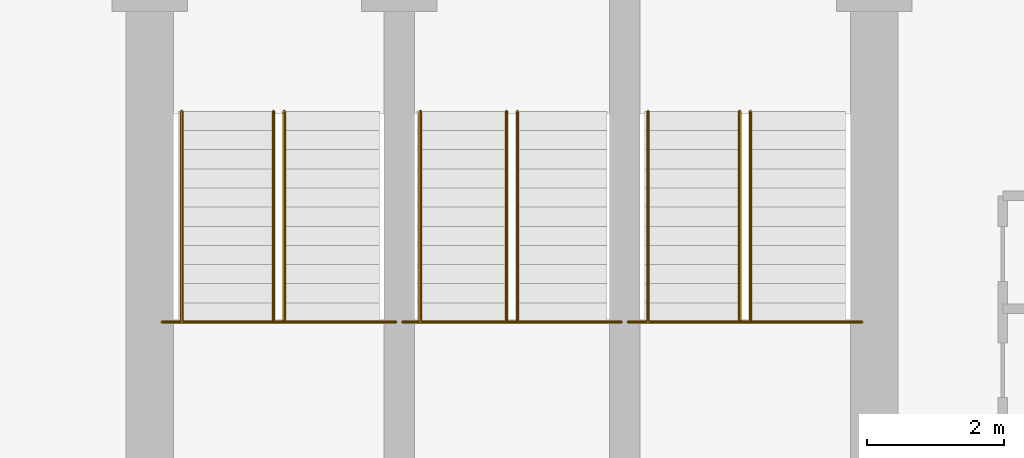
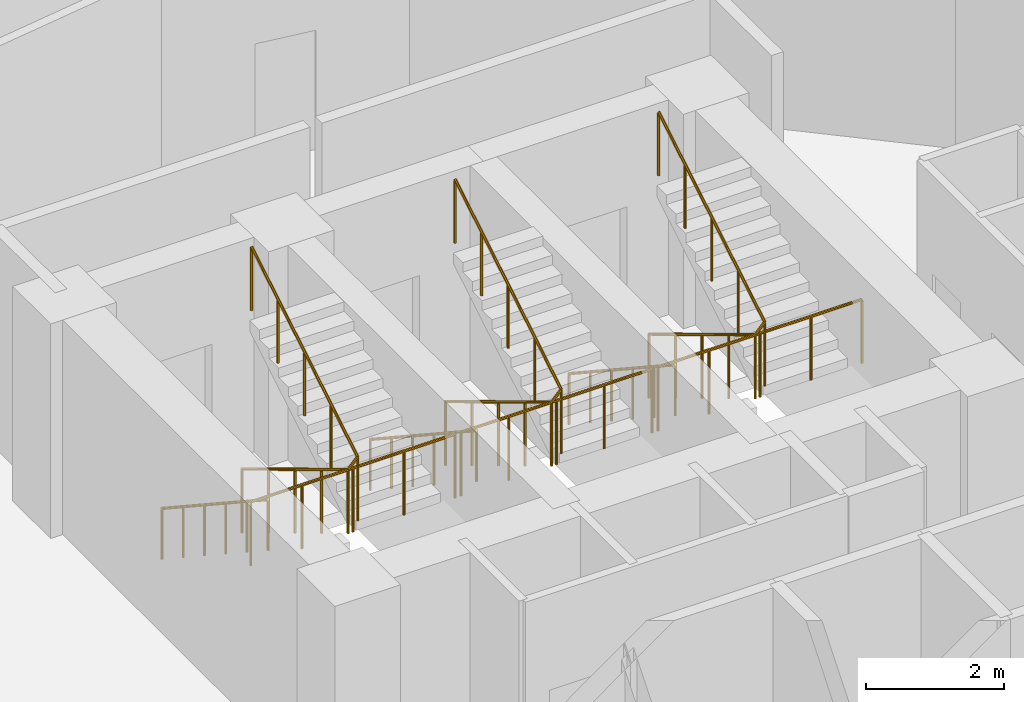
# One storey, part 26 of 26: 9 railings.
"""IFC4 building model written with IfcOpenShell, lengths in metres."""

import ifcopenshell
import ifcopenshell.guid

model = None  # the IFC model being written
_history = None  # IfcOwnerHistory: only IFC2X3 demands one
_inside = {}  # id of a spatial element -> (the spatial element, [elements in it])
_under = {}  # id of a project, library or spatial element -> (it, [spatial elements below it])
_declared = {}  # id of a project -> (the project, [libraries it declares])
_typed = {}  # id of a type object -> (the type object, [elements of that type])
_made_of = {}  # id of a material, layer set ... -> (it, [elements and type objects made of it])


def new_model(schema):
    """Start an empty IFC model of exactly this schema.

    Asked for "IFC4X3", IfcOpenShell would pick the latest addendum, in which some entities
    have other attributes; the version numbers below select the first issue.
    IFC2X3 requires an IfcOwnerHistory on every rooted entity: one is made here for all.
    """
    global model, _history
    if schema == "IFC4X3":
        model = ifcopenshell.file(schema_version=(4, 3, 0, 0))
    else:
        model = ifcopenshell.file(schema=schema)
    _inside.clear()
    _under.clear()
    _declared.clear()
    _typed.clear()
    _made_of.clear()
    _history = None
    if model.schema == "IFC2X3":
        org = make("IfcOrganization", Name="unknown")
        user = make(
            "IfcPersonAndOrganization",
            ThePerson=make("IfcPerson", FamilyName="unknown"),
            TheOrganization=org,
        )
        app = make(
            "IfcApplication",
            ApplicationDeveloper=org,
            Version="unknown",
            ApplicationFullName="unknown",
            ApplicationIdentifier="unknown",
        )
        _history = make(
            "IfcOwnerHistory",
            OwningUser=user,
            OwningApplication=app,
            ChangeAction="ADDED",
            CreationDate=0,
        )
    return model


def make(cls, **values):
    """One entity of the class cls with the attributes given. An attribute that is None is left unset."""
    return model.create_entity(
        cls, **{name: value for name, value in values.items() if value is not None}
    )


def rooted(cls, **values):
    """An entity with a GlobalId (a new one), such as an element, a storey or a relation."""
    return make(cls, GlobalId=ifcopenshell.guid.new(), OwnerHistory=_history, **values)


def si_unit(unit_type, name, prefix=None):
    """IfcSIUnit, for example si_unit("LENGTHUNIT", "METRE", prefix="MILLI")."""
    return make("IfcSIUnit", UnitType=unit_type, Prefix=prefix, Name=name)


def assignment(units):
    """IfcUnitAssignment: the units of a project."""
    return None if units is None else make("IfcUnitAssignment", Units=units)


def point(xyz):
    """IfcCartesianPoint."""
    return None if xyz is None else make("IfcCartesianPoint", Coordinates=xyz)


def direction(xyz):
    """IfcDirection."""
    return None if xyz is None else make("IfcDirection", DirectionRatios=xyz)


def frame(location, z_axis=None, x_axis=None):
    """IfcAxis2Placement3D, a coordinate frame: its origin and axes. An axis left out is left unset."""
    return make(
        "IfcAxis2Placement3D",
        Location=point(location),
        Axis=direction(z_axis),
        RefDirection=direction(x_axis),
    )


def origin():
    """The frame at (0, 0, 0) with its axes left unset."""
    return frame((0.0, 0.0, 0.0))


def place(relative_to, where):
    """IfcLocalPlacement: puts the frame where relative to a parent placement (None: the world)."""
    return make(
        "IfcLocalPlacement", PlacementRelTo=relative_to, RelativePlacement=where
    )


def context(
    kind, dimensions, precision=None, world=None, true_north=None, identifier=None
):
    """IfcGeometricRepresentationContext, for example the 3D "Model" context."""
    return make(
        "IfcGeometricRepresentationContext",
        ContextIdentifier=identifier,
        ContextType=kind,
        CoordinateSpaceDimension=dimensions,
        Precision=precision,
        WorldCoordinateSystem=world,
        TrueNorth=true_north,
    )


def subcontext(parent, identifier, kind, view, scale=None):
    """IfcGeometricRepresentationSubContext, for example "Body" below "Model"."""
    return make(
        "IfcGeometricRepresentationSubContext",
        ContextIdentifier=identifier,
        ContextType=kind,
        ParentContext=parent,
        TargetScale=scale,
        TargetView=view,
    )


def project(units=None, contexts=None):
    """IfcProject with its units and contexts."""
    return rooted(
        "IfcProject",
        Name="project",
        RepresentationContexts=contexts,
        UnitsInContext=assignment(units),
    )


def spatial(cls, under=None, at=None, **own):
    """A site, building, storey or space (cls), placed at a placement, below another one or the project."""
    s = rooted(cls, ObjectPlacement=at, **own)
    if under is not None:
        _under.setdefault(under.id(), (under, []))[1].append(s)
    return s


def polyline(points):
    """IfcPolyline through the points."""
    return make("IfcPolyline", Points=[point(p) for p in points])


def outline(outer, holes=None, kind="AREA"):
    """IfcArbitraryClosedProfileDef: a profile drawn as a closed curve; with holes, ...WithVoids."""
    if holes is None:
        return make("IfcArbitraryClosedProfileDef", ProfileType=kind, OuterCurve=outer)
    return make(
        "IfcArbitraryProfileDefWithVoids",
        ProfileType=kind,
        OuterCurve=outer,
        InnerCurves=holes,
    )


def extrude(swept, where, along, depth):
    """IfcExtrudedAreaSolid: the profile swept, set in the frame where, extruded along a direction by depth."""
    return make(
        "IfcExtrudedAreaSolid",
        SweptArea=swept,
        Position=where,
        ExtrudedDirection=direction(along),
        Depth=depth,
    )


def shape(context_of_items, identifier, shape_type, items):
    """IfcShapeRepresentation: the items that make up one representation, for example the "Body"."""
    return make(
        "IfcShapeRepresentation",
        ContextOfItems=context_of_items,
        RepresentationIdentifier=identifier,
        RepresentationType=shape_type,
        Items=items,
    )


def material(Name=None, Category=None):
    """IfcMaterial."""
    return make("IfcMaterial", Name=Name, Category=Category)


def made_of(thing, what):
    """Note that an element or type object is made of a material, layer set ...; save() writes the relation."""
    if what is not None:
        _made_of.setdefault(what.id(), (what, []))[1].append(thing)
    return thing


def type_object(cls, material=None, **own):
    """A type object (cls), such as IfcWallType, which elements share."""
    return made_of(rooted(cls, **own), material)


def element(
    cls,
    number,
    at=None,
    inside=None,
    cuts=None,
    type_object=None,
    material=None,
    context=None,
    identifier="Body",
    shape_type=None,
    held_by="IfcProductDefinitionShape",
    body=None,
    shapes=None,
    **own,
):
    """One element of the class cls, such as IfcWall. Its Tag is "e" and its number.

    at: its placement. inside: the storey or other place that contains it. cuts: it is an
    opening in that element (IfcRelVoidsElement). A single representation is given by context,
    identifier, shape_type and body (its items); several are given by shapes. held_by: the class
    of the entity that holds the representations. save() writes the other relations.
    """
    e = rooted(cls, Tag="e%d" % number, ObjectPlacement=at, **own)
    if body is not None:
        shapes = [shape(context, identifier, shape_type, body)]
    if shapes is not None:
        e.Representation = make(held_by, Representations=shapes)
    if inside is not None:
        _inside.setdefault(inside.id(), (inside, []))[1].append(e)
    if cuts is not None:
        rooted(
            "IfcRelVoidsElement", RelatingBuildingElement=cuts, RelatedOpeningElement=e
        )
    if type_object is not None:
        _typed.setdefault(type_object.id(), (type_object, []))[1].append(e)
    return made_of(e, material)


def aggregate(whole, parts):
    """IfcRelAggregates: a whole, such as a stair, and the parts it consists of."""
    return rooted("IfcRelAggregates", RelatingObject=whole, RelatedObjects=parts)


def save(model, path):
    """Write the relations noted so far, then the file.

    IfcRelAggregates (storeys below a building ...), IfcRelContainedInSpatialStructure (elements
    in a storey), IfcRelDefinesByType, IfcRelAssociatesMaterial and IfcRelDeclares: one each for
    every whole, place, type object, material and project.
    """
    for whole, parts in _under.values():
        aggregate(whole, parts)
    for where, things in _inside.values():
        rooted(
            "IfcRelContainedInSpatialStructure",
            RelatedElements=things,
            RelatingStructure=where,
        )
    for kind, things in _typed.values():
        rooted("IfcRelDefinesByType", RelatedObjects=things, RelatingType=kind)
    for what, things in _made_of.values():
        rooted("IfcRelAssociatesMaterial", RelatedObjects=things, RelatingMaterial=what)
    for by, libraries in _declared.values():
        rooted("IfcRelDeclares", RelatingContext=by, RelatedDefinitions=libraries)
    model.write(path)


model = new_model("IFC4")

# Units and contexts
model_context = context("Model", 3, precision=1e-05, world=origin(), true_north=direction((0.0, 1.0)))
body_context = subcontext(model_context, "Body", "Model", "MODEL_VIEW")
ifc_project = project(units=[si_unit("LENGTHUNIT", "METRE"), si_unit("AREAUNIT", "SQUARE_METRE"), si_unit("VOLUMEUNIT", "CUBIC_METRE"), si_unit("PLANEANGLEUNIT", "RADIAN"), si_unit("MASSUNIT", "GRAM", prefix="KILO")], contexts=[model_context])

# Site, building, storey
site_placement = place(None, origin())
site = spatial("IfcSite", under=ifc_project, at=site_placement, CompositionType="ELEMENT")
building_placement = place(site_placement, origin())
building = spatial("IfcBuilding", under=site, at=building_placement, Name="Nuhasar Tower", CompositionType="ELEMENT")
storey_placement = place(building_placement, frame((0.0, 0.0, 97.949951171875)))
storey = spatial("IfcBuildingStorey", under=building, at=storey_placement, Name="L23", CompositionType="ELEMENT", Elevation=97.949951171875)

# Railings
ifc_material_1 = material(Name="Steel S355", Category="steel")
railing_type_1 = type_object("IfcRailingType", Name="RLG-STAIR-GUARD-1150", PredefinedType="GUARDRAIL", material=ifc_material_1)
railing_1_placement = place(storey_placement, frame((33.8798828125, 32.205078125, 2.025146484375)))
element("IfcRailing", 1, at=railing_1_placement, inside=storey, type_object=railing_type_1, Name="L23 Stair ST-01 Guardrail LND", PredefinedType="GUARDRAIL", context=body_context, shape_type="SweptSolid", body=[
    extrude(outline(polyline([(0.024169921875, 0.0), (0.01708984375, 0.01708984375), (0.0, 0.024169921875), (-0.01708984375, 0.01708984375), (-0.024169921875, 0.0), (-0.01708984375, -0.01708984375), (0.0, -0.024169921875), (0.01708984375, -0.01708984375), (0.024169921875, 0.0)])), frame((0.0, 0.0, 1.1259765625), z_axis=(1.0, 0.0, 0.0), x_axis=(0.0, 1.0, 0.0)), (0.0, 0.0, 1.0), 3.420166015625),
    extrude(outline(polyline([(0.02099609375, 0.0), (0.014892578125, 0.014892578125), (0.0, 0.02099609375), (-0.014892578125, 0.014892578125), (-0.02099609375, 0.0), (-0.014892578125, -0.014892578125), (0.0, -0.02099609375), (0.014892578125, -0.014892578125), (0.02099609375, 0.0)])), origin(), (0.0, 0.0, 1.0), 1.101806640625),
    extrude(outline(polyline([(0.02099609375, 0.0), (0.014892578125, 0.014892578125), (0.0, 0.02099609375), (-0.014892578125, 0.014892578125), (-0.02099609375, 0.0), (-0.014892578125, -0.014892578125), (0.0, -0.02099609375), (0.014892578125, -0.014892578125), (0.02099609375, 0.0)])), frame((0.85498046875, 0.0, 0.0)), (0.0, 0.0, 1.0), 1.101806640625),
    extrude(outline(polyline([(0.02099609375, 0.0), (0.014892578125, 0.014892578125), (0.0, 0.02099609375), (-0.014892578125, 0.014892578125), (-0.02099609375, 0.0), (-0.014892578125, -0.014892578125), (0.0, -0.02099609375), (0.014892578125, -0.014892578125), (0.02099609375, 0.0)])), frame((1.7099609375, 0.0, 0.0)), (0.0, 0.0, 1.0), 1.101806640625),
    extrude(outline(polyline([(0.02099609375, 0.0), (0.014892578125, 0.014892578125), (0.0, 0.02099609375), (-0.014892578125, 0.014892578125), (-0.02099609375, 0.0), (-0.014892578125, -0.014892578125), (0.0, -0.02099609375), (0.014892578125, -0.014892578125), (0.02099609375, 0.0)])), frame((2.565185546875, 0.0, 0.0)), (0.0, 0.0, 1.0), 1.101806640625),
    extrude(outline(polyline([(0.02099609375, 0.0), (0.014892578125, 0.014892578125), (0.0, 0.02099609375), (-0.014892578125, 0.014892578125), (-0.02099609375, 0.0), (-0.014892578125, -0.014892578125), (0.0, -0.02099609375), (0.014892578125, -0.014892578125), (0.02099609375, 0.0)])), frame((3.420166015625, 0.0, 0.0)), (0.0, 0.0, 1.0), 1.101806640625),
])
railing_2_placement = place(storey_placement, frame((35.510009765625, 35.284912109375, 0.1689453125)))
element("IfcRailing", 2, at=railing_2_placement, inside=storey, type_object=railing_type_1, Name="L23 Stair ST-01 Guardrail SLT", PredefinedType="GUARDRAIL", context=body_context, shape_type="SweptSolid", body=[
    extrude(outline(polyline([(0.024169921875, 0.0), (0.01708984375, 0.01708984375), (0.0, 0.024169921875), (-0.01708984375, 0.01708984375), (-0.024169921875, 0.0), (-0.01708984375, -0.01708984375), (0.0, -0.024169921875), (0.01708984375, -0.01708984375), (0.024169921875, 0.0)])), frame((0.0, 0.0, 1.1259765625), z_axis=(0.0, -0.8564728477, 0.51619207777), x_axis=(1.0, 0.0, 0.0)), (0.0, 0.0, 1.0), 3.595947265625),
    extrude(outline(polyline([(0.024169921875, 0.0), (0.01708984375, 0.01708984375), (0.0, 0.024169921875), (-0.01708984375, 0.01708984375), (-0.024169921875, 0.0), (-0.01708984375, -0.01708984375), (0.0, -0.024169921875), (0.01708984375, -0.01708984375), (0.024169921875, 0.0)])), frame((0.0, -3.079833984375, 2.98193359375), z_axis=(0.687424367727, 0.0, 0.726255973232), x_axis=(0.0, 1.0, 0.0)), (0.0, 0.0, 1.0), 0.232666015625),
    extrude(outline(polyline([(0.024169921875, 0.0), (0.01708984375, 0.01708984375), (0.0, 0.024169921875), (-0.01708984375, 0.01708984375), (-0.024169921875, 0.0), (-0.01708984375, -0.01708984375), (0.0, -0.024169921875), (0.01708984375, -0.01708984375), (0.024169921875, 0.0)])), frame((0.159912109375, -3.079833984375, 3.15087890625), z_axis=(0.0, 0.856502863198, 0.516142272377), x_axis=(-1.0, 0.0, 0.0)), (0.0, 0.0, 1.0), 3.595703125),
    extrude(outline(polyline([(0.02099609375, 0.0), (0.014892578125, 0.014892578125), (0.0, 0.02099609375), (-0.014892578125, 0.014892578125), (-0.02099609375, 0.0), (-0.014892578125, -0.014892578125), (0.0, -0.02099609375), (0.014892578125, -0.014892578125), (0.02099609375, 0.0)])), origin(), (0.0, 0.0, 1.0), 1.101806640625),
    extrude(outline(polyline([(0.02099609375, 0.0), (0.014892578125, 0.014892578125), (0.0, 0.02099609375), (-0.014892578125, 0.014892578125), (-0.02099609375, 0.0), (-0.014892578125, -0.014892578125), (0.0, -0.02099609375), (0.014892578125, -0.014892578125), (0.02099609375, 0.0)])), frame((0.0, -0.77001953125, 0.464111328125)), (0.0, 0.0, 1.0), 1.101806640625),
    extrude(outline(polyline([(0.02099609375, 0.0), (0.014892578125, 0.014892578125), (0.0, 0.02099609375), (-0.014892578125, 0.014892578125), (-0.02099609375, 0.0), (-0.014892578125, -0.014892578125), (0.0, -0.02099609375), (0.014892578125, -0.014892578125), (0.02099609375, 0.0)])), frame((0.0, -1.5400390625, 0.92822265625)), (0.0, 0.0, 1.0), 1.101806640625),
    extrude(outline(polyline([(0.02099609375, 0.0), (0.014892578125, 0.014892578125), (0.0, 0.02099609375), (-0.014892578125, 0.014892578125), (-0.02099609375, 0.0), (-0.014892578125, -0.014892578125), (0.0, -0.02099609375), (0.014892578125, -0.014892578125), (0.02099609375, 0.0)])), frame((0.0, -2.309814453125, 1.39208984375)), (0.0, 0.0, 1.0), 1.101806640625),
    extrude(outline(polyline([(0.02099609375, 0.0), (0.014892578125, 0.014892578125), (0.0, 0.02099609375), (-0.014892578125, 0.014892578125), (-0.02099609375, 0.0), (-0.014892578125, -0.014892578125), (0.0, -0.02099609375), (0.014892578125, -0.014892578125), (0.02099609375, 0.0)])), frame((0.0, -3.079833984375, 1.856201171875)), (0.0, 0.0, 1.0), 1.101806640625),
    extrude(outline(polyline([(0.02099609375, 0.0), (0.014892578125, 0.014892578125), (0.0, 0.02099609375), (-0.014892578125, 0.014892578125), (-0.02099609375, 0.0), (-0.014892578125, -0.014892578125), (0.0, -0.02099609375), (0.014892578125, -0.014892578125), (0.02099609375, 0.0)])), frame((0.159912109375, -3.079833984375, 2.025146484375)), (0.0, 0.0, 1.0), 1.101806640625),
    extrude(outline(polyline([(0.02099609375, 0.0), (0.014892578125, 0.014892578125), (0.0, 0.02099609375), (-0.014892578125, 0.014892578125), (-0.02099609375, 0.0), (-0.014892578125, -0.014892578125), (0.0, -0.02099609375), (0.014892578125, -0.014892578125), (0.02099609375, 0.0)])), frame((0.159912109375, -2.309814453125, 2.4892578125)), (0.0, 0.0, 1.0), 1.101806640625),
    extrude(outline(polyline([(0.02099609375, 0.0), (0.014892578125, 0.014892578125), (0.0, 0.02099609375), (-0.014892578125, 0.014892578125), (-0.02099609375, 0.0), (-0.014892578125, -0.014892578125), (0.0, -0.02099609375), (0.014892578125, -0.014892578125), (0.02099609375, 0.0)])), frame((0.159912109375, -1.5400390625, 2.953125)), (0.0, 0.0, 1.0), 1.101806640625),
    extrude(outline(polyline([(0.02099609375, 0.0), (0.014892578125, 0.014892578125), (0.0, 0.02099609375), (-0.014892578125, 0.014892578125), (-0.02099609375, 0.0), (-0.014892578125, -0.014892578125), (0.0, -0.02099609375), (0.014892578125, -0.014892578125), (0.02099609375, 0.0)])), frame((0.159912109375, -0.77001953125, 3.4169921875)), (0.0, 0.0, 1.0), 1.101806640625),
    extrude(outline(polyline([(0.02099609375, 0.0), (0.014892578125, 0.014892578125), (0.0, 0.02099609375), (-0.014892578125, 0.014892578125), (-0.02099609375, 0.0), (-0.014892578125, -0.014892578125), (0.0, -0.02099609375), (0.014892578125, -0.014892578125), (0.02099609375, 0.0)])), frame((0.159912109375, 0.0, 3.881103515625)), (0.0, 0.0, 1.0), 1.101806640625),
])
railing_3_placement = place(storey_placement, frame((37.39990234375, 32.205078125, 2.025146484375)))
element("IfcRailing", 3, at=railing_3_placement, inside=storey, type_object=railing_type_1, Name="L23 Stair ST-03 Guardrail LND", PredefinedType="GUARDRAIL", context=body_context, shape_type="SweptSolid", body=[
    extrude(outline(polyline([(0.024169921875, 0.0), (0.01708984375, 0.01708984375), (0.0, 0.024169921875), (-0.01708984375, 0.01708984375), (-0.024169921875, 0.0), (-0.01708984375, -0.01708984375), (0.0, -0.024169921875), (0.01708984375, -0.01708984375), (0.024169921875, 0.0)])), frame((0.0, 0.0, 1.1259765625), z_axis=(1.0, 0.0, 0.0), x_axis=(0.0, 1.0, 0.0)), (0.0, 0.0, 1.0), 3.2001953125),
    extrude(outline(polyline([(0.02099609375, 0.0), (0.014892578125, 0.014892578125), (0.0, 0.02099609375), (-0.014892578125, 0.014892578125), (-0.02099609375, 0.0), (-0.014892578125, -0.014892578125), (0.0, -0.02099609375), (0.014892578125, -0.014892578125), (0.02099609375, 0.0)])), origin(), (0.0, 0.0, 1.0), 1.101806640625),
    extrude(outline(polyline([(0.02099609375, 0.0), (0.014892578125, 0.014892578125), (0.0, 0.02099609375), (-0.014892578125, 0.014892578125), (-0.02099609375, 0.0), (-0.014892578125, -0.014892578125), (0.0, -0.02099609375), (0.014892578125, -0.014892578125), (0.02099609375, 0.0)])), frame((0.800048828125, 0.0, 0.0)), (0.0, 0.0, 1.0), 1.101806640625),
    extrude(outline(polyline([(0.02099609375, 0.0), (0.014892578125, 0.014892578125), (0.0, 0.02099609375), (-0.014892578125, 0.014892578125), (-0.02099609375, 0.0), (-0.014892578125, -0.014892578125), (0.0, -0.02099609375), (0.014892578125, -0.014892578125), (0.02099609375, 0.0)])), frame((1.60009765625, 0.0, 0.0)), (0.0, 0.0, 1.0), 1.101806640625),
    extrude(outline(polyline([(0.02099609375, 0.0), (0.014892578125, 0.014892578125), (0.0, 0.02099609375), (-0.014892578125, 0.014892578125), (-0.02099609375, 0.0), (-0.014892578125, -0.014892578125), (0.0, -0.02099609375), (0.014892578125, -0.014892578125), (0.02099609375, 0.0)])), frame((2.400146484375, 0.0, 0.0)), (0.0, 0.0, 1.0), 1.101806640625),
    extrude(outline(polyline([(0.02099609375, 0.0), (0.014892578125, 0.014892578125), (0.0, 0.02099609375), (-0.014892578125, 0.014892578125), (-0.02099609375, 0.0), (-0.014892578125, -0.014892578125), (0.0, -0.02099609375), (0.014892578125, -0.014892578125), (0.02099609375, 0.0)])), frame((3.2001953125, 0.0, 0.0)), (0.0, 0.0, 1.0), 1.101806640625),
])
railing_4_placement = place(storey_placement, frame((38.919921875, 35.284912109375, 0.1689453125)))
element("IfcRailing", 4, at=railing_4_placement, inside=storey, type_object=railing_type_1, Name="L23 Stair ST-03 Guardrail SLT", PredefinedType="GUARDRAIL", context=body_context, shape_type="SweptSolid", body=[
    extrude(outline(polyline([(0.024169921875, 0.0), (0.01708984375, 0.01708984375), (0.0, 0.024169921875), (-0.01708984375, 0.01708984375), (-0.024169921875, 0.0), (-0.01708984375, -0.01708984375), (0.0, -0.024169921875), (0.01708984375, -0.01708984375), (0.024169921875, 0.0)])), frame((0.0, 0.0, 1.1259765625), z_axis=(0.0, -0.8564728477, 0.51619207777), x_axis=(1.0, 0.0, 0.0)), (0.0, 0.0, 1.0), 3.595947265625),
    extrude(outline(polyline([(0.024169921875, 0.0), (0.01708984375, 0.01708984375), (0.0, 0.024169921875), (-0.01708984375, 0.01708984375), (-0.024169921875, 0.0), (-0.01708984375, -0.01708984375), (0.0, -0.024169921875), (0.01708984375, -0.01708984375), (0.024169921875, 0.0)])), frame((0.0, -3.079833984375, 2.98193359375), z_axis=(0.687977326998, 0.0, 0.725732180309), x_axis=(0.0, 1.0, 0.0)), (0.0, 0.0, 1.0), 0.23291015625),
    extrude(outline(polyline([(0.024169921875, 0.0), (0.01708984375, 0.01708984375), (0.0, 0.024169921875), (-0.01708984375, 0.01708984375), (-0.024169921875, 0.0), (-0.01708984375, -0.01708984375), (0.0, -0.024169921875), (0.01708984375, -0.01708984375), (0.024169921875, 0.0)])), frame((0.16015625, -3.079833984375, 3.15087890625), z_axis=(0.0, 0.856502863198, 0.516142272377), x_axis=(-1.0, 0.0, 0.0)), (0.0, 0.0, 1.0), 3.595703125),
    extrude(outline(polyline([(0.02099609375, 0.0), (0.014892578125, 0.014892578125), (0.0, 0.02099609375), (-0.014892578125, 0.014892578125), (-0.02099609375, 0.0), (-0.014892578125, -0.014892578125), (0.0, -0.02099609375), (0.014892578125, -0.014892578125), (0.02099609375, 0.0)])), origin(), (0.0, 0.0, 1.0), 1.101806640625),
    extrude(outline(polyline([(0.02099609375, 0.0), (0.014892578125, 0.014892578125), (0.0, 0.02099609375), (-0.014892578125, 0.014892578125), (-0.02099609375, 0.0), (-0.014892578125, -0.014892578125), (0.0, -0.02099609375), (0.014892578125, -0.014892578125), (0.02099609375, 0.0)])), frame((0.0, -0.77001953125, 0.464111328125)), (0.0, 0.0, 1.0), 1.101806640625),
    extrude(outline(polyline([(0.02099609375, 0.0), (0.014892578125, 0.014892578125), (0.0, 0.02099609375), (-0.014892578125, 0.014892578125), (-0.02099609375, 0.0), (-0.014892578125, -0.014892578125), (0.0, -0.02099609375), (0.014892578125, -0.014892578125), (0.02099609375, 0.0)])), frame((0.0, -1.5400390625, 0.92822265625)), (0.0, 0.0, 1.0), 1.101806640625),
    extrude(outline(polyline([(0.02099609375, 0.0), (0.014892578125, 0.014892578125), (0.0, 0.02099609375), (-0.014892578125, 0.014892578125), (-0.02099609375, 0.0), (-0.014892578125, -0.014892578125), (0.0, -0.02099609375), (0.014892578125, -0.014892578125), (0.02099609375, 0.0)])), frame((0.0, -2.309814453125, 1.39208984375)), (0.0, 0.0, 1.0), 1.101806640625),
    extrude(outline(polyline([(0.02099609375, 0.0), (0.014892578125, 0.014892578125), (0.0, 0.02099609375), (-0.014892578125, 0.014892578125), (-0.02099609375, 0.0), (-0.014892578125, -0.014892578125), (0.0, -0.02099609375), (0.014892578125, -0.014892578125), (0.02099609375, 0.0)])), frame((0.0, -3.079833984375, 1.856201171875)), (0.0, 0.0, 1.0), 1.101806640625),
    extrude(outline(polyline([(0.02099609375, 0.0), (0.014892578125, 0.014892578125), (0.0, 0.02099609375), (-0.014892578125, 0.014892578125), (-0.02099609375, 0.0), (-0.014892578125, -0.014892578125), (0.0, -0.02099609375), (0.014892578125, -0.014892578125), (0.02099609375, 0.0)])), frame((0.16015625, -3.079833984375, 2.025146484375)), (0.0, 0.0, 1.0), 1.101806640625),
    extrude(outline(polyline([(0.02099609375, 0.0), (0.014892578125, 0.014892578125), (0.0, 0.02099609375), (-0.014892578125, 0.014892578125), (-0.02099609375, 0.0), (-0.014892578125, -0.014892578125), (0.0, -0.02099609375), (0.014892578125, -0.014892578125), (0.02099609375, 0.0)])), frame((0.16015625, -2.309814453125, 2.4892578125)), (0.0, 0.0, 1.0), 1.101806640625),
    extrude(outline(polyline([(0.02099609375, 0.0), (0.014892578125, 0.014892578125), (0.0, 0.02099609375), (-0.014892578125, 0.014892578125), (-0.02099609375, 0.0), (-0.014892578125, -0.014892578125), (0.0, -0.02099609375), (0.014892578125, -0.014892578125), (0.02099609375, 0.0)])), frame((0.16015625, -1.5400390625, 2.953125)), (0.0, 0.0, 1.0), 1.101806640625),
    extrude(outline(polyline([(0.02099609375, 0.0), (0.014892578125, 0.014892578125), (0.0, 0.02099609375), (-0.014892578125, 0.014892578125), (-0.02099609375, 0.0), (-0.014892578125, -0.014892578125), (0.0, -0.02099609375), (0.014892578125, -0.014892578125), (0.02099609375, 0.0)])), frame((0.16015625, -0.77001953125, 3.4169921875)), (0.0, 0.0, 1.0), 1.101806640625),
    extrude(outline(polyline([(0.02099609375, 0.0), (0.014892578125, 0.014892578125), (0.0, 0.02099609375), (-0.014892578125, 0.014892578125), (-0.02099609375, 0.0), (-0.014892578125, -0.014892578125), (0.0, -0.02099609375), (0.014892578125, -0.014892578125), (0.02099609375, 0.0)])), frame((0.16015625, 0.0, 3.881103515625)), (0.0, 0.0, 1.0), 1.101806640625),
])
railing_5_placement = place(storey_placement, frame((40.699951171875, 32.205078125, 2.025146484375)))
element("IfcRailing", 5, at=railing_5_placement, inside=storey, type_object=railing_type_1, Name="L23 Stair ST-02 Guardrail LND", PredefinedType="GUARDRAIL", context=body_context, shape_type="SweptSolid", body=[
    extrude(outline(polyline([(0.024169921875, 0.0), (0.01708984375, 0.01708984375), (0.0, 0.024169921875), (-0.01708984375, 0.01708984375), (-0.024169921875, 0.0), (-0.01708984375, -0.01708984375), (0.0, -0.024169921875), (0.01708984375, -0.01708984375), (0.024169921875, 0.0)])), frame((0.0, 0.0, 1.1259765625), z_axis=(1.0, 0.0, 0.0), x_axis=(0.0, 1.0, 0.0)), (0.0, 0.0, 1.0), 3.420166015625),
    extrude(outline(polyline([(0.02099609375, 0.0), (0.014892578125, 0.014892578125), (0.0, 0.02099609375), (-0.014892578125, 0.014892578125), (-0.02099609375, 0.0), (-0.014892578125, -0.014892578125), (0.0, -0.02099609375), (0.014892578125, -0.014892578125), (0.02099609375, 0.0)])), origin(), (0.0, 0.0, 1.0), 1.101806640625),
    extrude(outline(polyline([(0.02099609375, 0.0), (0.014892578125, 0.014892578125), (0.0, 0.02099609375), (-0.014892578125, 0.014892578125), (-0.02099609375, 0.0), (-0.014892578125, -0.014892578125), (0.0, -0.02099609375), (0.014892578125, -0.014892578125), (0.02099609375, 0.0)])), frame((0.85498046875, 0.0, 0.0)), (0.0, 0.0, 1.0), 1.101806640625),
    extrude(outline(polyline([(0.02099609375, 0.0), (0.014892578125, 0.014892578125), (0.0, 0.02099609375), (-0.014892578125, 0.014892578125), (-0.02099609375, 0.0), (-0.014892578125, -0.014892578125), (0.0, -0.02099609375), (0.014892578125, -0.014892578125), (0.02099609375, 0.0)])), frame((1.7099609375, 0.0, 0.0)), (0.0, 0.0, 1.0), 1.101806640625),
    extrude(outline(polyline([(0.02099609375, 0.0), (0.014892578125, 0.014892578125), (0.0, 0.02099609375), (-0.014892578125, 0.014892578125), (-0.02099609375, 0.0), (-0.014892578125, -0.014892578125), (0.0, -0.02099609375), (0.014892578125, -0.014892578125), (0.02099609375, 0.0)])), frame((2.565185546875, 0.0, 0.0)), (0.0, 0.0, 1.0), 1.101806640625),
    extrude(outline(polyline([(0.02099609375, 0.0), (0.014892578125, 0.014892578125), (0.0, 0.02099609375), (-0.014892578125, 0.014892578125), (-0.02099609375, 0.0), (-0.014892578125, -0.014892578125), (0.0, -0.02099609375), (0.014892578125, -0.014892578125), (0.02099609375, 0.0)])), frame((3.420166015625, 0.0, 0.0)), (0.0, 0.0, 1.0), 1.101806640625),
])
railing_6_placement = place(storey_placement, frame((42.330078125, 35.284912109375, 0.1689453125)))
element("IfcRailing", 6, at=railing_6_placement, inside=storey, type_object=railing_type_1, Name="L23 Stair ST-02 Guardrail SLT", PredefinedType="GUARDRAIL", context=body_context, shape_type="SweptSolid", body=[
    extrude(outline(polyline([(0.024169921875, 0.0), (0.01708984375, 0.01708984375), (0.0, 0.024169921875), (-0.01708984375, 0.01708984375), (-0.024169921875, 0.0), (-0.01708984375, -0.01708984375), (0.0, -0.024169921875), (0.01708984375, -0.01708984375), (0.024169921875, 0.0)])), frame((0.0, 0.0, 1.1259765625), z_axis=(0.0, -0.8564728477, 0.51619207777), x_axis=(1.0, 0.0, 0.0)), (0.0, 0.0, 1.0), 3.595947265625),
    extrude(outline(polyline([(0.024169921875, 0.0), (0.01708984375, 0.01708984375), (0.0, 0.024169921875), (-0.01708984375, 0.01708984375), (-0.024169921875, 0.0), (-0.01708984375, -0.01708984375), (0.0, -0.024169921875), (0.01708984375, -0.01708984375), (0.024169921875, 0.0)])), frame((0.0, -3.079833984375, 2.98193359375), z_axis=(0.687424367727, 0.0, 0.726255973232), x_axis=(0.0, 1.0, 0.0)), (0.0, 0.0, 1.0), 0.232666015625),
    extrude(outline(polyline([(0.024169921875, 0.0), (0.01708984375, 0.01708984375), (0.0, 0.024169921875), (-0.01708984375, 0.01708984375), (-0.024169921875, 0.0), (-0.01708984375, -0.01708984375), (0.0, -0.024169921875), (0.01708984375, -0.01708984375), (0.024169921875, 0.0)])), frame((0.159912109375, -3.079833984375, 3.15087890625), z_axis=(0.0, 0.856502863198, 0.516142272377), x_axis=(-1.0, 0.0, 0.0)), (0.0, 0.0, 1.0), 3.595703125),
    extrude(outline(polyline([(0.02099609375, 0.0), (0.014892578125, 0.014892578125), (0.0, 0.02099609375), (-0.014892578125, 0.014892578125), (-0.02099609375, 0.0), (-0.014892578125, -0.014892578125), (0.0, -0.02099609375), (0.014892578125, -0.014892578125), (0.02099609375, 0.0)])), origin(), (0.0, 0.0, 1.0), 1.101806640625),
    extrude(outline(polyline([(0.02099609375, 0.0), (0.014892578125, 0.014892578125), (0.0, 0.02099609375), (-0.014892578125, 0.014892578125), (-0.02099609375, 0.0), (-0.014892578125, -0.014892578125), (0.0, -0.02099609375), (0.014892578125, -0.014892578125), (0.02099609375, 0.0)])), frame((0.0, -0.77001953125, 0.464111328125)), (0.0, 0.0, 1.0), 1.101806640625),
    extrude(outline(polyline([(0.02099609375, 0.0), (0.014892578125, 0.014892578125), (0.0, 0.02099609375), (-0.014892578125, 0.014892578125), (-0.02099609375, 0.0), (-0.014892578125, -0.014892578125), (0.0, -0.02099609375), (0.014892578125, -0.014892578125), (0.02099609375, 0.0)])), frame((0.0, -1.5400390625, 0.92822265625)), (0.0, 0.0, 1.0), 1.101806640625),
    extrude(outline(polyline([(0.02099609375, 0.0), (0.014892578125, 0.014892578125), (0.0, 0.02099609375), (-0.014892578125, 0.014892578125), (-0.02099609375, 0.0), (-0.014892578125, -0.014892578125), (0.0, -0.02099609375), (0.014892578125, -0.014892578125), (0.02099609375, 0.0)])), frame((0.0, -2.309814453125, 1.39208984375)), (0.0, 0.0, 1.0), 1.101806640625),
    extrude(outline(polyline([(0.02099609375, 0.0), (0.014892578125, 0.014892578125), (0.0, 0.02099609375), (-0.014892578125, 0.014892578125), (-0.02099609375, 0.0), (-0.014892578125, -0.014892578125), (0.0, -0.02099609375), (0.014892578125, -0.014892578125), (0.02099609375, 0.0)])), frame((0.0, -3.079833984375, 1.856201171875)), (0.0, 0.0, 1.0), 1.101806640625),
    extrude(outline(polyline([(0.02099609375, 0.0), (0.014892578125, 0.014892578125), (0.0, 0.02099609375), (-0.014892578125, 0.014892578125), (-0.02099609375, 0.0), (-0.014892578125, -0.014892578125), (0.0, -0.02099609375), (0.014892578125, -0.014892578125), (0.02099609375, 0.0)])), frame((0.159912109375, -3.079833984375, 2.025146484375)), (0.0, 0.0, 1.0), 1.101806640625),
    extrude(outline(polyline([(0.02099609375, 0.0), (0.014892578125, 0.014892578125), (0.0, 0.02099609375), (-0.014892578125, 0.014892578125), (-0.02099609375, 0.0), (-0.014892578125, -0.014892578125), (0.0, -0.02099609375), (0.014892578125, -0.014892578125), (0.02099609375, 0.0)])), frame((0.159912109375, -2.309814453125, 2.4892578125)), (0.0, 0.0, 1.0), 1.101806640625),
    extrude(outline(polyline([(0.02099609375, 0.0), (0.014892578125, 0.014892578125), (0.0, 0.02099609375), (-0.014892578125, 0.014892578125), (-0.02099609375, 0.0), (-0.014892578125, -0.014892578125), (0.0, -0.02099609375), (0.014892578125, -0.014892578125), (0.02099609375, 0.0)])), frame((0.159912109375, -1.5400390625, 2.953125)), (0.0, 0.0, 1.0), 1.101806640625),
    extrude(outline(polyline([(0.02099609375, 0.0), (0.014892578125, 0.014892578125), (0.0, 0.02099609375), (-0.014892578125, 0.014892578125), (-0.02099609375, 0.0), (-0.014892578125, -0.014892578125), (0.0, -0.02099609375), (0.014892578125, -0.014892578125), (0.02099609375, 0.0)])), frame((0.159912109375, -0.77001953125, 3.4169921875)), (0.0, 0.0, 1.0), 1.101806640625),
    extrude(outline(polyline([(0.02099609375, 0.0), (0.014892578125, 0.014892578125), (0.0, 0.02099609375), (-0.014892578125, 0.014892578125), (-0.02099609375, 0.0), (-0.014892578125, -0.014892578125), (0.0, -0.02099609375), (0.014892578125, -0.014892578125), (0.02099609375, 0.0)])), frame((0.159912109375, 0.0, 3.881103515625)), (0.0, 0.0, 1.0), 1.101806640625),
])
ifc_material_2 = material(Name="Stainless Steel 316L", Category="steel")
railing_type_2 = type_object("IfcRailingType", Name="RLG-STAIR-HAND-920", PredefinedType="HANDRAIL", material=ifc_material_2)
railing_7_placement = place(storey_placement, frame((34.169921875, 35.284912109375, 0.1689453125)))
element("IfcRailing", 7, at=railing_7_placement, inside=storey, type_object=railing_type_2, Name="L23 Stair ST-01 Handrail HND1", PredefinedType="HANDRAIL", context=body_context, shape_type="SweptSolid", body=[
    extrude(outline(polyline([(0.024169921875, 0.0), (0.01708984375, 0.01708984375), (0.0, 0.024169921875), (-0.01708984375, 0.01708984375), (-0.024169921875, 0.0), (-0.01708984375, -0.01708984375), (0.0, -0.024169921875), (0.01708984375, -0.01708984375), (0.024169921875, 0.0)])), frame((0.0, 0.0, 0.89599609375), z_axis=(0.0, -0.835549111106, 0.549415765091), x_axis=(1.0, 0.0, 0.0)), (0.0, 0.0, 1.0), 3.68603515625),
    extrude(outline(polyline([(0.02099609375, 0.0), (0.014892578125, 0.014892578125), (0.0, 0.02099609375), (-0.014892578125, 0.014892578125), (-0.02099609375, 0.0), (-0.014892578125, -0.014892578125), (0.0, -0.02099609375), (0.014892578125, -0.014892578125), (0.02099609375, 0.0)])), origin(), (0.0, 0.0, 1.0), 0.871826171875),
    extrude(outline(polyline([(0.02099609375, 0.0), (0.014892578125, 0.014892578125), (0.0, 0.02099609375), (-0.014892578125, 0.014892578125), (-0.02099609375, 0.0), (-0.014892578125, -0.014892578125), (0.0, -0.02099609375), (0.014892578125, -0.014892578125), (0.02099609375, 0.0)])), frame((0.0, -0.615966796875, 0.405029296875)), (0.0, 0.0, 1.0), 0.871826171875),
    extrude(outline(polyline([(0.02099609375, 0.0), (0.014892578125, 0.014892578125), (0.0, 0.02099609375), (-0.014892578125, 0.014892578125), (-0.02099609375, 0.0), (-0.014892578125, -0.014892578125), (0.0, -0.02099609375), (0.014892578125, -0.014892578125), (0.02099609375, 0.0)])), frame((0.0, -1.23193359375, 0.81005859375)), (0.0, 0.0, 1.0), 0.871826171875),
    extrude(outline(polyline([(0.02099609375, 0.0), (0.014892578125, 0.014892578125), (0.0, 0.02099609375), (-0.014892578125, 0.014892578125), (-0.02099609375, 0.0), (-0.014892578125, -0.014892578125), (0.0, -0.02099609375), (0.014892578125, -0.014892578125), (0.02099609375, 0.0)])), frame((0.0, -1.847900390625, 1.215087890625)), (0.0, 0.0, 1.0), 0.871826171875),
    extrude(outline(polyline([(0.02099609375, 0.0), (0.014892578125, 0.014892578125), (0.0, 0.02099609375), (-0.014892578125, 0.014892578125), (-0.02099609375, 0.0), (-0.014892578125, -0.014892578125), (0.0, -0.02099609375), (0.014892578125, -0.014892578125), (0.02099609375, 0.0)])), frame((0.0, -2.4638671875, 1.6201171875)), (0.0, 0.0, 1.0), 0.871826171875),
    extrude(outline(polyline([(0.02099609375, 0.0), (0.014892578125, 0.014892578125), (0.0, 0.02099609375), (-0.014892578125, 0.014892578125), (-0.02099609375, 0.0), (-0.014892578125, -0.014892578125), (0.0, -0.02099609375), (0.014892578125, -0.014892578125), (0.02099609375, 0.0)])), frame((0.0, -3.079833984375, 2.025146484375)), (0.0, 0.0, 1.0), 0.871826171875),
])
railing_8_placement = place(storey_placement, frame((37.659912109375, 35.284912109375, 0.1689453125)))
element("IfcRailing", 8, at=railing_8_placement, inside=storey, type_object=railing_type_2, Name="L23 Stair ST-03 Handrail HND1", PredefinedType="HANDRAIL", context=body_context, shape_type="SweptSolid", body=[
    extrude(outline(polyline([(0.024169921875, 0.0), (0.01708984375, 0.01708984375), (0.0, 0.024169921875), (-0.01708984375, 0.01708984375), (-0.024169921875, 0.0), (-0.01708984375, -0.01708984375), (0.0, -0.024169921875), (0.01708984375, -0.01708984375), (0.024169921875, 0.0)])), frame((0.0, 0.0, 0.89599609375), z_axis=(0.0, -0.835549111106, 0.549415765091), x_axis=(1.0, 0.0, 0.0)), (0.0, 0.0, 1.0), 3.68603515625),
    extrude(outline(polyline([(0.02099609375, 0.0), (0.014892578125, 0.014892578125), (0.0, 0.02099609375), (-0.014892578125, 0.014892578125), (-0.02099609375, 0.0), (-0.014892578125, -0.014892578125), (0.0, -0.02099609375), (0.014892578125, -0.014892578125), (0.02099609375, 0.0)])), origin(), (0.0, 0.0, 1.0), 0.871826171875),
    extrude(outline(polyline([(0.02099609375, 0.0), (0.014892578125, 0.014892578125), (0.0, 0.02099609375), (-0.014892578125, 0.014892578125), (-0.02099609375, 0.0), (-0.014892578125, -0.014892578125), (0.0, -0.02099609375), (0.014892578125, -0.014892578125), (0.02099609375, 0.0)])), frame((0.0, -0.615966796875, 0.405029296875)), (0.0, 0.0, 1.0), 0.871826171875),
    extrude(outline(polyline([(0.02099609375, 0.0), (0.014892578125, 0.014892578125), (0.0, 0.02099609375), (-0.014892578125, 0.014892578125), (-0.02099609375, 0.0), (-0.014892578125, -0.014892578125), (0.0, -0.02099609375), (0.014892578125, -0.014892578125), (0.02099609375, 0.0)])), frame((0.0, -1.23193359375, 0.81005859375)), (0.0, 0.0, 1.0), 0.871826171875),
    extrude(outline(polyline([(0.02099609375, 0.0), (0.014892578125, 0.014892578125), (0.0, 0.02099609375), (-0.014892578125, 0.014892578125), (-0.02099609375, 0.0), (-0.014892578125, -0.014892578125), (0.0, -0.02099609375), (0.014892578125, -0.014892578125), (0.02099609375, 0.0)])), frame((0.0, -1.847900390625, 1.215087890625)), (0.0, 0.0, 1.0), 0.871826171875),
    extrude(outline(polyline([(0.02099609375, 0.0), (0.014892578125, 0.014892578125), (0.0, 0.02099609375), (-0.014892578125, 0.014892578125), (-0.02099609375, 0.0), (-0.014892578125, -0.014892578125), (0.0, -0.02099609375), (0.014892578125, -0.014892578125), (0.02099609375, 0.0)])), frame((0.0, -2.4638671875, 1.6201171875)), (0.0, 0.0, 1.0), 0.871826171875),
    extrude(outline(polyline([(0.02099609375, 0.0), (0.014892578125, 0.014892578125), (0.0, 0.02099609375), (-0.014892578125, 0.014892578125), (-0.02099609375, 0.0), (-0.014892578125, -0.014892578125), (0.0, -0.02099609375), (0.014892578125, -0.014892578125), (0.02099609375, 0.0)])), frame((0.0, -3.079833984375, 2.025146484375)), (0.0, 0.0, 1.0), 0.871826171875),
])
railing_9_placement = place(storey_placement, frame((40.989990234375, 35.284912109375, 0.1689453125)))
element("IfcRailing", 9, at=railing_9_placement, inside=storey, type_object=railing_type_2, Name="L23 Stair ST-02 Handrail HND1", PredefinedType="HANDRAIL", context=body_context, shape_type="SweptSolid", body=[
    extrude(outline(polyline([(0.024169921875, 0.0), (0.01708984375, 0.01708984375), (0.0, 0.024169921875), (-0.01708984375, 0.01708984375), (-0.024169921875, 0.0), (-0.01708984375, -0.01708984375), (0.0, -0.024169921875), (0.01708984375, -0.01708984375), (0.024169921875, 0.0)])), frame((0.0, 0.0, 0.89599609375), z_axis=(0.0, -0.835549111106, 0.549415765091), x_axis=(1.0, 0.0, 0.0)), (0.0, 0.0, 1.0), 3.68603515625),
    extrude(outline(polyline([(0.02099609375, 0.0), (0.014892578125, 0.014892578125), (0.0, 0.02099609375), (-0.014892578125, 0.014892578125), (-0.02099609375, 0.0), (-0.014892578125, -0.014892578125), (0.0, -0.02099609375), (0.014892578125, -0.014892578125), (0.02099609375, 0.0)])), origin(), (0.0, 0.0, 1.0), 0.871826171875),
    extrude(outline(polyline([(0.02099609375, 0.0), (0.014892578125, 0.014892578125), (0.0, 0.02099609375), (-0.014892578125, 0.014892578125), (-0.02099609375, 0.0), (-0.014892578125, -0.014892578125), (0.0, -0.02099609375), (0.014892578125, -0.014892578125), (0.02099609375, 0.0)])), frame((0.0, -0.615966796875, 0.405029296875)), (0.0, 0.0, 1.0), 0.871826171875),
    extrude(outline(polyline([(0.02099609375, 0.0), (0.014892578125, 0.014892578125), (0.0, 0.02099609375), (-0.014892578125, 0.014892578125), (-0.02099609375, 0.0), (-0.014892578125, -0.014892578125), (0.0, -0.02099609375), (0.014892578125, -0.014892578125), (0.02099609375, 0.0)])), frame((0.0, -1.23193359375, 0.81005859375)), (0.0, 0.0, 1.0), 0.871826171875),
    extrude(outline(polyline([(0.02099609375, 0.0), (0.014892578125, 0.014892578125), (0.0, 0.02099609375), (-0.014892578125, 0.014892578125), (-0.02099609375, 0.0), (-0.014892578125, -0.014892578125), (0.0, -0.02099609375), (0.014892578125, -0.014892578125), (0.02099609375, 0.0)])), frame((0.0, -1.847900390625, 1.215087890625)), (0.0, 0.0, 1.0), 0.871826171875),
    extrude(outline(polyline([(0.02099609375, 0.0), (0.014892578125, 0.014892578125), (0.0, 0.02099609375), (-0.014892578125, 0.014892578125), (-0.02099609375, 0.0), (-0.014892578125, -0.014892578125), (0.0, -0.02099609375), (0.014892578125, -0.014892578125), (0.02099609375, 0.0)])), frame((0.0, -2.4638671875, 1.6201171875)), (0.0, 0.0, 1.0), 0.871826171875),
    extrude(outline(polyline([(0.02099609375, 0.0), (0.014892578125, 0.014892578125), (0.0, 0.02099609375), (-0.014892578125, 0.014892578125), (-0.02099609375, 0.0), (-0.014892578125, -0.014892578125), (0.0, -0.02099609375), (0.014892578125, -0.014892578125), (0.02099609375, 0.0)])), frame((0.0, -3.079833984375, 2.025146484375)), (0.0, 0.0, 1.0), 0.871826171875),
])

save(model, "model.ifc")
